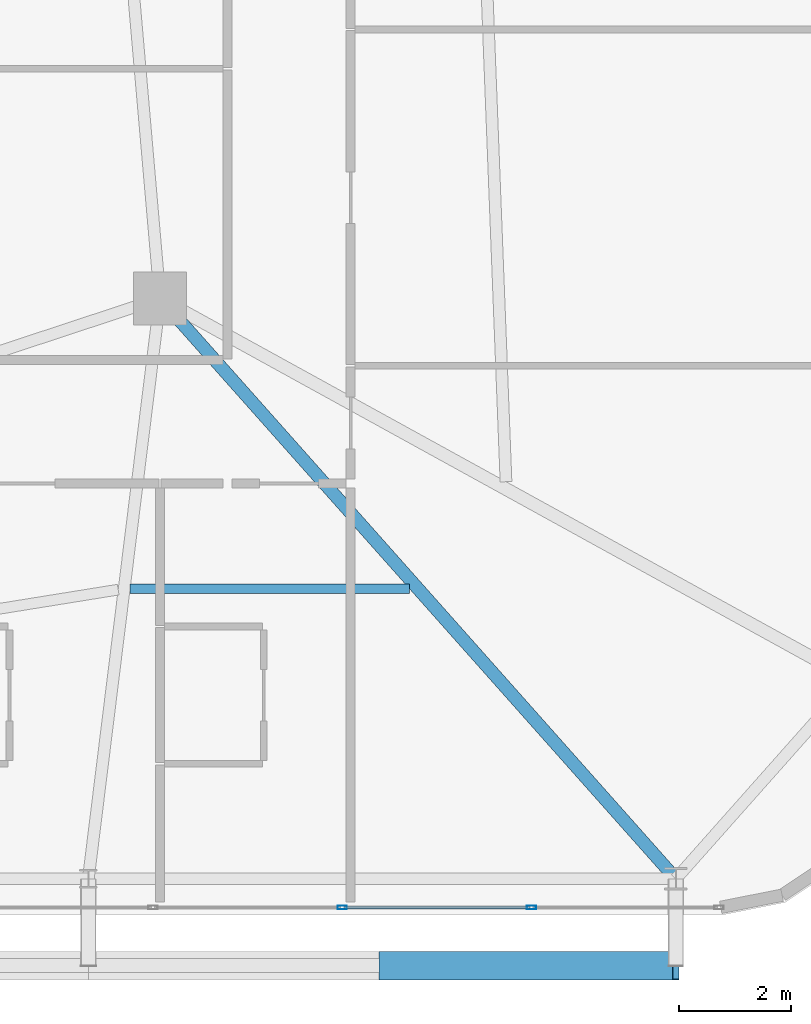
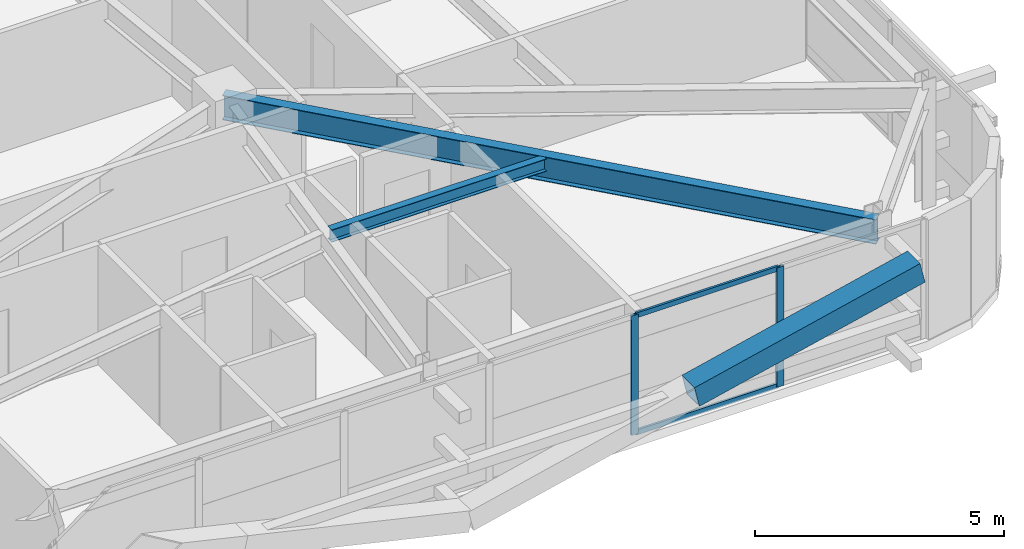
# One storey, part 23 of 59: 5 members, 2 beams, 1 element without a shape of its own.
"""IFC4 building model written with IfcOpenShell, lengths in metres."""

from ifc_helpers import new_model, si_unit, direction, frame, origin, origin_2d, place, context, subcontext, project, spatial, hollow_rectangle, i_section, extrude, source, transform, mapped, material, layer, layer_set, material_profile, profile_set, type_object, element, aggregate, save


model = new_model("IFC4")

# Units and contexts
model_context = context("Model", 3, precision=1e-05, world=origin(), true_north=direction((0.0, 1.0)))
body_context = subcontext(model_context, "Body", "Model", "MODEL_VIEW")
ifc_project = project(units=[si_unit("LENGTHUNIT", "METRE"), si_unit("AREAUNIT", "SQUARE_METRE"), si_unit("VOLUMEUNIT", "CUBIC_METRE"), si_unit("PLANEANGLEUNIT", "RADIAN"), si_unit("MASSUNIT", "GRAM", prefix="KILO")], contexts=[model_context])

# Site, building, storey
site_placement = place(None, origin())
site = spatial("IfcSite", under=ifc_project, at=site_placement, CompositionType="ELEMENT")
building_placement = place(site_placement, origin())
building = spatial("IfcBuilding", under=site, at=building_placement, Name="Taldren Reach Tower", CompositionType="ELEMENT")
storey_placement = place(building_placement, frame((0.0, 0.0, 29.39990234375)))
storey = spatial("IfcBuildingStorey", under=building, at=storey_placement, Name="L08", CompositionType="ELEMENT", Elevation=29.39990234375)

# Beams
ifc_material_1 = material(Name="Steel Gr 350 (350PLUS)", Category="steel")
ifc_material_profile_1 = material_profile(ifc_material_1, i_section(OverallWidth=0.22802734375, OverallDepth=0.60205078125, WebThickness=0.010498046875, FlangeThickness=0.014892578125, at=origin_2d()), Name="610UB101")
ifc_profile_set_1 = profile_set([ifc_material_profile_1], Name="Steel Gr 350 (350PLUS)")
beam_type_1 = type_object("IfcBeamType", Name="BM-UB610B", PredefinedType="BEAM", material=ifc_profile_set_1)
shared_shape_1 = source(origin(), body_context, "Body", "SweptSolid", [
    extrude(i_section(OverallWidth=0.22802734375, OverallDepth=0.60205078125, WebThickness=0.010498046875, FlangeThickness=0.014892578125, at=origin_2d()), origin(), (0.0, 0.0, 1.0), 13.847900390625),
])
beam_1_placement = place(storey_placement, frame((52.0, 12.5, 2.629150390625), z_axis=(0.664358367375, -0.747414182164, 0.0), x_axis=(0.747414182164, 0.664358367375, 0.0)))
element("IfcBeam", 1, at=beam_1_placement, inside=storey, type_object=beam_type_1, Name="Primary floor girder B1-S6 L08", PredefinedType="BEAM", context=body_context, shape_type="MappedRepresentation", body=[
    mapped(shared_shape_1, transform((0.0, 0.0, 0.0), scale=1.0)),
])
ifc_material_2 = material(Name="Steel Gr 300 (300PLUS, 300 MPa)", Category="steel")
ifc_material_profile_2 = material_profile(ifc_material_2, i_section(OverallWidth=0.166015625, OverallDepth=0.306884765625, WebThickness=0.006591796875, FlangeThickness=0.01171875, at=origin_2d()), Name="310UB46.2")
ifc_profile_set_2 = profile_set([ifc_material_profile_2], Name="Steel Gr 300 (300PLUS, 300 MPa)")
beam_type_2 = type_object("IfcBeamType", Name="JS-UB310", PredefinedType="JOIST", material=ifc_profile_set_2)
shared_shape_2 = source(origin(), body_context, "Body", "SweptSolid", [
    extrude(i_section(OverallWidth=0.166015625, OverallDepth=0.306884765625, WebThickness=0.006591796875, FlangeThickness=0.01171875, at=origin_2d()), origin(), (0.0, 0.0, 1.0), 4.982177734375),
])
beam_2_placement = place(storey_placement, frame((51.46533203125, 7.324951171875, 2.776611328125), z_axis=(1.0, 0.0, 0.0), x_axis=(0.0, 1.0, 0.0)))
element("IfcBeam", 2, at=beam_2_placement, inside=storey, type_object=beam_type_2, Name="Secondary floor joist B1 J5 L08", PredefinedType="JOIST", context=body_context, shape_type="MappedRepresentation", body=[
    mapped(shared_shape_2, transform((0.0, 0.0, 0.0), scale=1.0)),
])

# Member
ifc_material_3 = material(Name="Steel Gr 450 (C450L0)", Category="steel")
ifc_material_profile_3 = material_profile(ifc_material_3, hollow_rectangle(XDim=0.510009765625, YDim=0.510009765625, WallThickness=0.02001953125, at=origin_2d()), Name="510x510x20.0SHS")
ifc_profile_set_3 = profile_set([ifc_material_profile_3], Name="Steel Gr 450 (C450L0)")
member_type_1 = type_object("IfcMemberType", Name="MB-EXO508", PredefinedType="BRACE", material=ifc_profile_set_3)
shared_shape_3 = source(origin(), body_context, "Body", "SweptSolid", [
    extrude(hollow_rectangle(XDim=0.510009765625, YDim=0.510009765625, WallThickness=0.02001953125, at=origin_2d()), origin(), (0.0, 0.0, 1.0), 5.37890625),
])
member_1_placement = place(storey_placement, frame((55.9599609375, 0.60009765625, 1.43505859375), z_axis=(0.97415197996, 0.0, 0.225893603143), x_axis=(0.0, 1.0, 0.0)))
element("IfcMember", 3, at=member_1_placement, inside=storey, type_object=member_type_1, Name="Exoskeleton Diagrid Brace B1-S5 L08", PredefinedType="BRACE", context=body_context, shape_type="MappedRepresentation", body=[
    mapped(shared_shape_3, transform((0.0, 0.0, 0.0), scale=1.0)),
])

# Curtain wall, members
ifc_material_4 = material(Name="Aluminium and Low-E Glass Unitised System", Category="aluminium")
ifc_layer = layer(ifc_material_4, 0.159912109375)
ifc_layer_set = layer_set([ifc_layer], Name="Aluminium and Low-E Glass Unitised System")
curtain_wall_type = type_object("IfcCurtainWallType", Name="CW-SYS-2", PredefinedType="NOTDEFINED", material=ifc_layer_set)
curtain_wall_placement = place(storey_placement, origin())
curtain_wall = element("IfcCurtainWall", 4, at=curtain_wall_placement, inside=storey, type_object=curtain_wall_type, Name="Unitised curtain wall CW-L08-S", PredefinedType="NOTDEFINED")
ifc_material_5 = material(Name="Anodised Aluminium 6063-T6", Category="aluminium")
ifc_material_profile_4 = material_profile(ifc_material_5, hollow_rectangle(XDim=0.054931640625, YDim=0.1201171875, WallThickness=0.0029296875, at=origin_2d()), Name="ALU-120x55x3RHS")
ifc_profile_set_4 = profile_set([ifc_material_profile_4], Name="Anodised Aluminium 6063-T6")
member_type_2 = type_object("IfcMemberType", Name="CW-TRN-135", PredefinedType="USERDEFINED", material=ifc_profile_set_4)
shared_shape_4 = source(origin(), body_context, "Body", "SweptSolid", [
    extrude(hollow_rectangle(XDim=0.054931640625, YDim=0.1201171875, WallThickness=0.0029296875, at=origin_2d()), origin(), (0.0, 0.0, 1.0), 3.31005859375),
])
member_2_placement = place(storey_placement, frame((55.282470703125, 1.639892578125, 0.027587890625), z_axis=(1.0, 0.0, 0.0), x_axis=(0.0, 1.0, 0.0)))
member_2 = element("IfcMember", 5, at=member_2_placement, type_object=member_type_2, Name="CW-2 transom 15.1", ObjectType="TRANSOM", PredefinedType="USERDEFINED", context=body_context, shape_type="MappedRepresentation", body=[
    mapped(shared_shape_4, transform((0.0, 0.0, 0.0), scale=1.0)),
])
member_3_placement = place(storey_placement, frame((55.282470703125, 1.639892578125, 2.902587890625), z_axis=(1.0, 0.0, 0.0), x_axis=(0.0, 1.0, 0.0)))
member_3 = element("IfcMember", 6, at=member_3_placement, type_object=member_type_2, Name="CW-2 transom 15.2", ObjectType="TRANSOM", PredefinedType="USERDEFINED", context=body_context, shape_type="MappedRepresentation", body=[
    mapped(shared_shape_4, transform((0.0, 0.0, 0.0), scale=1.0)),
])
ifc_material_profile_5 = material_profile(ifc_material_5, hollow_rectangle(XDim=0.06494140625, YDim=0.1650390625, WallThickness=0.00390625, at=origin_2d()), Name="ALU-165x65x4RHS")
ifc_profile_set_5 = profile_set([ifc_material_profile_5], Name="Anodised Aluminium 6063-T6")
member_type_3 = type_object("IfcMemberType", Name="CW-MUL-165", PredefinedType="MULLION", material=ifc_profile_set_5)
shared_shape_5 = source(origin(), body_context, "Body", "SweptSolid", [
    extrude(hollow_rectangle(XDim=0.06494140625, YDim=0.1650390625, WallThickness=0.00390625, at=origin_2d()), origin(), (0.0, 0.0, 1.0), 2.93017578125),
])
member_4_placement = place(storey_placement, frame((55.25, 1.639892578125, 0.0), z_axis=(0.0, 0.0, 1.0), x_axis=(0.0, 1.0, 0.0)))
member_4 = element("IfcMember", 7, at=member_4_placement, type_object=member_type_3, Name="CW-2 mullion 15", PredefinedType="MULLION", context=body_context, shape_type="MappedRepresentation", body=[
    mapped(shared_shape_5, transform((0.0, 0.0, 0.0), scale=1.0)),
])
member_5_placement = place(storey_placement, frame((58.625, 1.639892578125, 0.0), z_axis=(0.0, 0.0, 1.0), x_axis=(0.0, 1.0, 0.0)))
member_5 = element("IfcMember", 8, at=member_5_placement, type_object=member_type_3, Name="CW-2 mullion 16", PredefinedType="MULLION", context=body_context, shape_type="MappedRepresentation", body=[
    mapped(shared_shape_5, transform((0.0, 0.0, 0.0), scale=1.0)),
])
aggregate(curtain_wall, [member_4, member_5, member_2, member_3])

save(model, "model.ifc")
